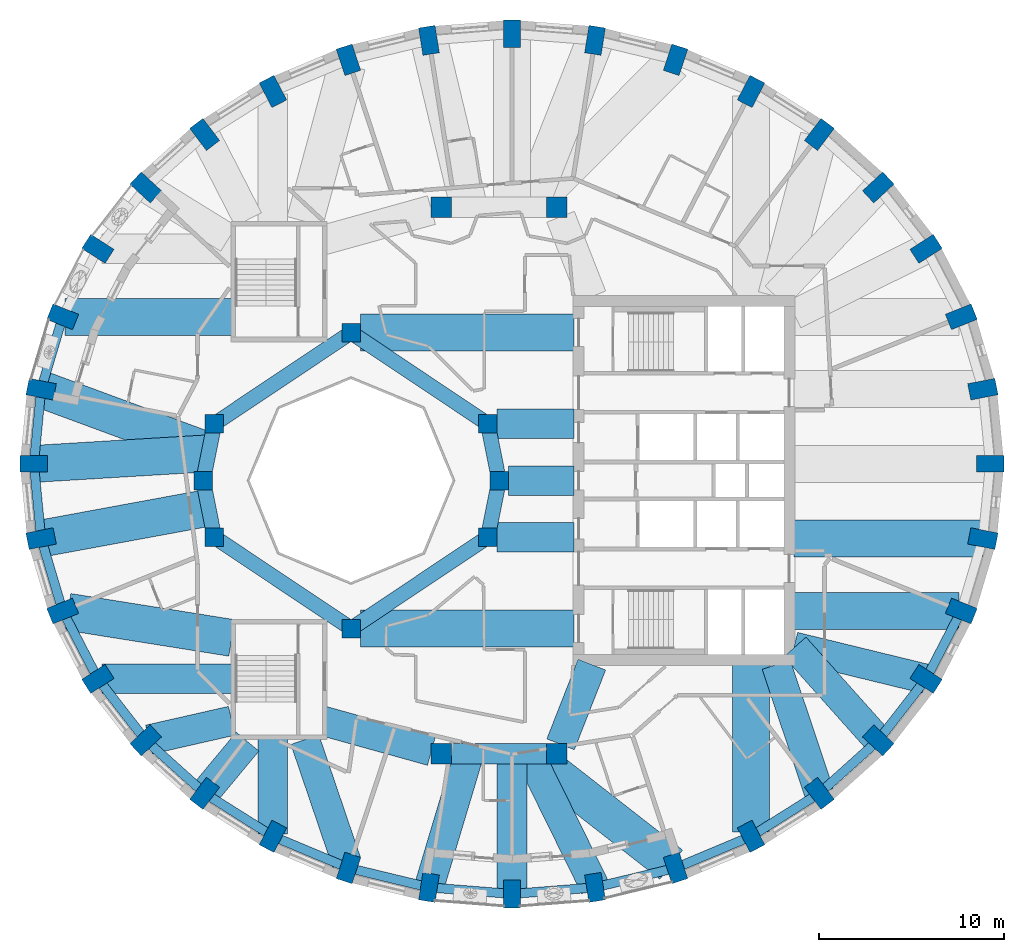
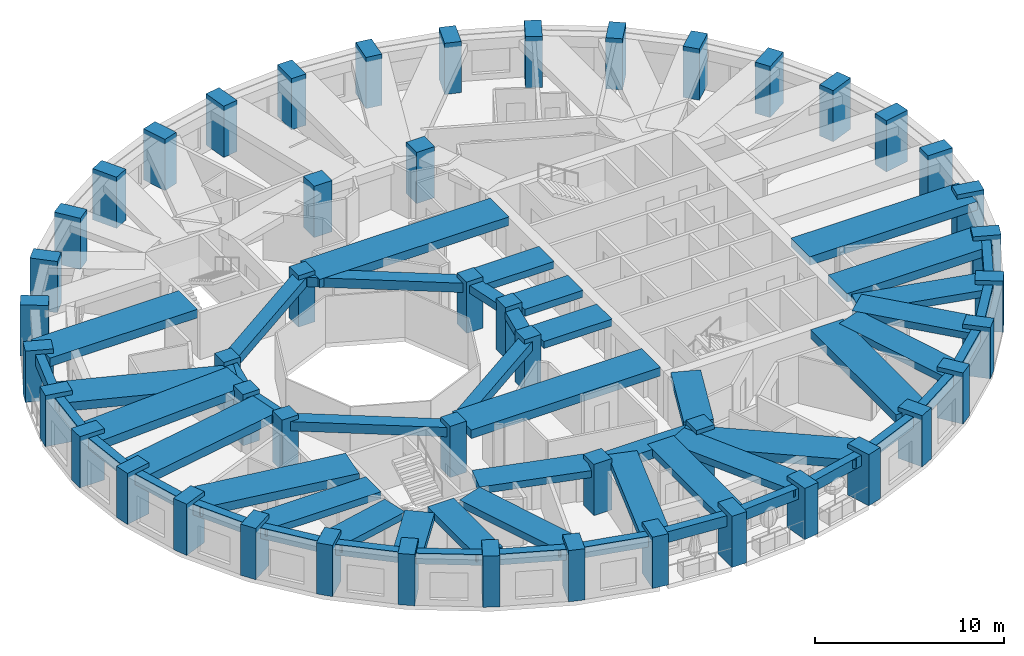
# One storey, part 1 of 12: 54 beams, 48 columns.
"""IFC4 building model written with IfcOpenShell, lengths in metres."""

from ifc_helpers import new_model, si_unit, direction, frame, origin, origin_2d, place, context, subcontext, project, spatial, rectangle, extrude, material, material_profile, profile_set, type_object, element, save


model = new_model("IFC4")

# Units and contexts
model_context = context("Model", 3, precision=1e-05, world=origin(), true_north=direction((0.0, 1.0)))
body_context = subcontext(model_context, "Body", "Model", "MODEL_VIEW")
ifc_project = project(units=[si_unit("LENGTHUNIT", "METRE"), si_unit("AREAUNIT", "SQUARE_METRE"), si_unit("VOLUMEUNIT", "CUBIC_METRE"), si_unit("PLANEANGLEUNIT", "RADIAN"), si_unit("MASSUNIT", "GRAM", prefix="KILO")], contexts=[model_context])

# Site, building, storey
site_placement = place(None, origin())
site = spatial("IfcSite", under=ifc_project, at=site_placement, CompositionType="ELEMENT")
building_placement = place(site_placement, origin())
building = spatial("IfcBuilding", under=site, at=building_placement, Name="Taillehof Tower", CompositionType="ELEMENT")
storey_placement = place(building_placement, frame((0.0, 0.0, 205.699951171875)))
storey = spatial("IfcBuildingStorey", under=building, at=storey_placement, Name="L58", CompositionType="ELEMENT", Elevation=205.699951171875)

# Columns
ifc_material_1 = material(Name="Concrete C50/60", Category="concrete")
ifc_material_profile_1 = material_profile(ifc_material_1, rectangle(XDim=1.0, YDim=1.0, at=origin_2d()), Name="RC 1000x1000")
ifc_profile_set_1 = profile_set([ifc_material_profile_1], Name="Concrete C50/60")
column_type_1 = type_object("IfcColumnType", Name="Atrium ring column C50/60 1000x1000", PredefinedType="COLUMN", material=ifc_profile_set_1)
for number, where, z_axis, x_axis, name in (
    (1, (0.0, 0.0, 0.0), (0.0, 0.0, 1.0), (1.0, 0.0, 0.0), "Column AC01"),
    (2, (-0.60888671875, 3.0615234375, 0.0), (0.0, 0.0, 1.0), (1.0, 0.0, 0.0), "Column AC02"),
    (3, (-8.0, 8.0, 0.0), (0.0, 0.0, 1.0), (1.0, 0.0, 0.0), "Column AC05"),
    (4, (-15.39111328125, 3.0615234375, 0.0), (0.0, 0.0, 1.0), (1.0, 0.0, 0.0), "Column AC08"),
    (5, (-16.0, 0.0, 0.0), (0.0, 0.0, 1.0), (1.0, 0.0, 0.0), "Column AC09"),
    (6, (-15.39111328125, -3.0615234375, 0.0), (0.0, 0.0, 1.0), (1.0, 0.0, 0.0), "Column AC10"),
    (7, (-8.0, -8.0, 0.0), (0.0, 0.0, 1.0), (1.0, 0.0, 0.0), "Column AC13"),
    (8, (-0.60888671875, -3.0615234375, 0.0), (0.0, 0.0, 1.0), (1.0, 0.0, 0.0), "Column AC16"),
):
    element("IfcColumn", number, at=place(storey_placement, frame(where, z_axis=z_axis, x_axis=x_axis)), inside=storey, type_object=column_type_1, Name=name, PredefinedType="COLUMN", context=body_context, shape_type="SweptSolid", body=[
        extrude(rectangle(XDim=1.0, YDim=1.0, at=origin_2d()), origin(), (0.0, 0.0, 1.0), 3.300048828125),
    ])
ifc_material_2 = material(Name="Concrete C50/60", Category="concrete")
ifc_material_profile_2 = material_profile(ifc_material_2, rectangle(XDim=1.10009765625, YDim=1.10009765625, at=origin_2d()), Name="RC 1100x1100")
ifc_profile_set_2 = profile_set([ifc_material_profile_2], Name="Concrete C50/60")
column_type_2 = type_object("IfcColumnType", Name="Mid-ring column C50/60 1100x1100", PredefinedType="COLUMN", material=ifc_profile_set_2)
for number, where, z_axis, x_axis, name in (
    (9, (3.125732421875, 14.772216796875, 0.0), (0.0, 0.0, 1.0), (1.0, 0.0, 0.0), "Column MC05"),
    (10, (-3.125732421875, 14.772216796875, 0.0), (0.0, 0.0, 1.0), (1.0, 0.0, 0.0), "Column MC06"),
    (11, (-3.125732421875, -14.772216796875, 0.0), (0.0, 0.0, 1.0), (1.0, 0.0, 0.0), "Column MC14"),
    (12, (3.125732421875, -14.772216796875, 0.0), (0.0, 0.0, 1.0), (1.0, 0.0, 0.0), "Column MC15"),
):
    element("IfcColumn", number, at=place(storey_placement, frame(where, z_axis=z_axis, x_axis=x_axis)), inside=storey, type_object=column_type_2, Name=name, PredefinedType="COLUMN", context=body_context, shape_type="SweptSolid", body=[
        extrude(rectangle(XDim=1.10009765625, YDim=1.10009765625, at=origin_2d()), origin(), (0.0, 0.0, 1.0), 3.300048828125),
    ])
ifc_material_3 = material(Name="Concrete C60/75", Category="concrete")
ifc_material_profile_3 = material_profile(ifc_material_3, rectangle(XDim=1.5, YDim=0.89990234375, at=origin_2d()), Name="RC 1500x900")
ifc_profile_set_3 = profile_set([ifc_material_profile_3], Name="Concrete C60/75")
column_type_3 = type_object("IfcColumnType", Name="Ring column C60/75 1500x900", PredefinedType="COLUMN", material=ifc_profile_set_3)
for number, where, z_axis, x_axis, name in (
    (13, (26.550048828125, 0.89990234375, 0.0), (0.0, 0.0, 1.0), (1.0, 0.0, 0.0), "Ring column RC01"),
    (14, (26.1572265625, 4.937255859375, 0.0), (0.0, 0.0, 1.0), (0.981433894538, 0.191800705555, 0.0), "Ring column RC02"),
    (15, (24.990966796875, 8.85205078125, 0.0), (0.0, 0.0, 1.0), (0.927385290523, 0.374107635477, 0.0), "Ring column RC03"),
    (16, (23.086669921875, 12.52490234375, 0.0), (0.0, 0.0, 1.0), (0.84231094199, 0.538991908107, 0.0), "Ring column RC04"),
    (17, (20.502197265625, 15.8447265625, 0.0), (0.0, 0.0, 1.0), (0.732270888356, 0.681013469813, 0.0), "Ring column RC05"),
    (18, (17.316162109375, 18.71044921875, 0.0), (0.0, 0.0, 1.0), (0.60360770772, 0.797281465469, 0.0), "Ring column RC06"),
    (19, (13.625, 21.03515625, 0.0), (0.0, 0.0, 1.0), (0.461993199576, 0.886883466722, 0.0), "Ring column RC07"),
    (20, (9.541259765625, 22.747802734375, 0.0), (0.0, 0.0, 1.0), (0.312001306843, 0.950081672557, 0.0), "Ring column RC08"),
    (21, (5.188720703125, 23.796875, 0.0), (0.0, 0.0, 1.0), (0.157116034607, 0.987580149491, 0.0), "Ring column RC09"),
    (22, (0.699951171875, 24.14990234375, 0.0), (0.0, 0.0, 1.0), (0.0, 1.0, 0.0), "Ring column RC10"),
    (23, (-3.788818359375, 23.796875, 0.0), (0.0, 0.0, 1.0), (-0.157116034607, 0.987580149491, 0.0), "Ring column RC11"),
    (24, (-8.14111328125, 22.747802734375, 0.0), (0.0, 0.0, 1.0), (-0.312001306843, 0.950081672557, 0.0), "Ring column RC12"),
    (25, (-12.22509765625, 21.03515625, 0.0), (0.0, 0.0, 1.0), (-0.461993199576, 0.886883466722, 0.0), "Ring column RC13"),
    (26, (-15.916015625, 18.71044921875, 0.0), (0.0, 0.0, 1.0), (-0.60360770772, 0.797281465469, 0.0), "Ring column RC14"),
    (27, (-19.102294921875, 15.8447265625, 0.0), (0.0, 0.0, 1.0), (-0.732270888356, 0.681013469813, 0.0), "Ring column RC15"),
    (28, (-21.686767578125, 12.52490234375, 0.0), (0.0, 0.0, 1.0), (-0.84231094199, 0.538991908107, 0.0), "Ring column RC16"),
    (29, (-23.591064453125, 8.85205078125, 0.0), (0.0, 0.0, 1.0), (-0.927385290523, 0.374107635477, 0.0), "Ring column RC17"),
    (30, (-24.75732421875, 4.937255859375, 0.0), (0.0, 0.0, 1.0), (-0.981433894538, 0.191800705555, 0.0), "Ring column RC18"),
    (31, (-25.14990234375, 0.89990234375, 0.0), (0.0, 0.0, 1.0), (-1.0, 0.0, 0.0), "Ring column RC19"),
    (32, (-24.75732421875, -3.13720703125, 0.0), (0.0, 0.0, 1.0), (-0.981433894538, -0.191800705555, 0.0), "Ring column RC20"),
    (33, (-23.591064453125, -7.052001953125, 0.0), (0.0, 0.0, 1.0), (-0.927385290523, -0.374107635477, 0.0), "Ring column RC21"),
    (34, (-21.686767578125, -10.72509765625, 0.0), (0.0, 0.0, 1.0), (-0.84231094199, -0.538991908107, 0.0), "Ring column RC22"),
    (35, (-19.102294921875, -14.044921875, 0.0), (0.0, 0.0, 1.0), (-0.732270888356, -0.681013469813, 0.0), "Ring column RC23"),
    (36, (-15.916015625, -16.91064453125, 0.0), (0.0, 0.0, 1.0), (-0.60360770772, -0.797281465469, 0.0), "Ring column RC24"),
    (37, (-12.22509765625, -19.235107421875, 0.0), (0.0, 0.0, 1.0), (-0.461993199576, -0.886883466722, 0.0), "Ring column RC25"),
    (38, (-8.14111328125, -20.94775390625, 0.0), (0.0, 0.0, 1.0), (-0.312001306843, -0.950081672557, 0.0), "Ring column RC26"),
    (39, (-3.788818359375, -21.996826171875, 0.0), (0.0, 0.0, 1.0), (-0.157116034607, -0.987580149491, 0.0), "Ring column RC27"),
    (40, (0.699951171875, -22.35009765625, 0.0), (0.0, 0.0, 1.0), (0.0, -1.0, 0.0), "Ring column RC28"),
    (41, (5.188720703125, -21.996826171875, 0.0), (0.0, 0.0, 1.0), (0.157116034607, -0.987580149491, 0.0), "Ring column RC29"),
    (42, (9.541259765625, -20.94775390625, 0.0), (0.0, 0.0, 1.0), (0.312001306843, -0.950081672557, 0.0), "Ring column RC30"),
    (43, (13.625, -19.235107421875, 0.0), (0.0, 0.0, 1.0), (0.461993199576, -0.886883466722, 0.0), "Ring column RC31"),
    (44, (17.316162109375, -16.91064453125, 0.0), (0.0, 0.0, 1.0), (0.60360770772, -0.797281465469, 0.0), "Ring column RC32"),
    (45, (20.502197265625, -14.044921875, 0.0), (0.0, 0.0, 1.0), (0.732270888356, -0.681013469813, 0.0), "Ring column RC33"),
    (46, (23.086669921875, -10.72509765625, 0.0), (0.0, 0.0, 1.0), (0.84231094199, -0.538991908107, 0.0), "Ring column RC34"),
    (47, (24.990966796875, -7.052001953125, 0.0), (0.0, 0.0, 1.0), (0.927385290523, -0.374107635477, 0.0), "Ring column RC35"),
    (48, (26.1572265625, -3.13720703125, 0.0), (0.0, 0.0, 1.0), (0.981433894538, -0.191800705555, 0.0), "Ring column RC36"),
):
    element("IfcColumn", number, at=place(storey_placement, frame(where, z_axis=z_axis, x_axis=x_axis)), inside=storey, type_object=column_type_3, Name=name, PredefinedType="COLUMN", context=body_context, shape_type="SweptSolid", body=[
        extrude(rectangle(XDim=1.5, YDim=0.89990234375, at=origin_2d()), origin(), (0.0, 0.0, 1.0), 3.300048828125),
    ])

# Beams
ifc_material_4 = material(Name="Concrete C50/60", Category="concrete")
ifc_material_profile_4 = material_profile(ifc_material_4, rectangle(XDim=0.800048828125, YDim=0.5, at=origin_2d()), Name="RC 800x500")
ifc_profile_set_4 = profile_set([ifc_material_profile_4], Name="Concrete C50/60")
beam_type_1 = type_object("IfcBeamType", Name="Atrium ring beam C50/60 800x500", PredefinedType="BEAM", material=ifc_profile_set_4)
for number, where, z_axis, x_axis, name in (
    (49, (0.0, 0.0, 2.77001953125), (-0.195063155143, 0.980790683839, 0.0), (-0.980790683839, -0.195063155143, 0.0), "Atrium ring beam AB01"),
    (50, (-15.39111328125, 3.0615234375, 2.77001953125), (-0.195063155143, -0.980790683839, 0.0), (0.980790683839, -0.195063155143, 0.0), "Atrium ring beam AB04"),
    (51, (-16.0, 0.0, 2.77001953125), (0.195063155143, -0.980790683839, 0.0), (0.980790683839, 0.195063155143, 0.0), "Atrium ring beam AB05"),
    (52, (-0.60888671875, -3.0615234375, 2.77001953125), (0.195063155143, 0.980790683839, 0.0), (-0.980790683839, 0.195063155143, 0.0), "Atrium ring beam AB08"),
):
    element("IfcBeam", number, at=place(storey_placement, frame(where, z_axis=z_axis, x_axis=x_axis)), inside=storey, type_object=beam_type_1, Name=name, PredefinedType="BEAM", context=body_context, shape_type="SweptSolid", body=[
        extrude(rectangle(XDim=0.800048828125, YDim=0.5, at=origin_2d()), origin(), (0.0, 0.0, 1.0), 3.12158203125),
    ])
ifc_material_5 = material(Name="Concrete C50/60", Category="concrete")
ifc_material_profile_5 = material_profile(ifc_material_5, rectangle(XDim=0.800048828125, YDim=0.60009765625, at=origin_2d()), Name="RC 800x600")
ifc_profile_set_5 = profile_set([ifc_material_profile_5], Name="Concrete C50/60")
beam_type_2 = type_object("IfcBeamType", Name="Atrium ring beam C50/60 800x600", PredefinedType="BEAM", material=ifc_profile_set_5)
for number, where, z_axis, x_axis, name in (
    (53, (-0.60888671875, 3.0615234375, 2.719970703125), (-0.831475195687, 0.555561876804, 0.0), (-0.555561876804, -0.831475195687, 0.0), "Atrium ring beam AB02"),
    (54, (-8.0, 8.0, 2.719970703125), (-0.831475195687, -0.555561876804, 0.0), (0.555561876804, -0.831475195687, 0.0), "Atrium ring beam AB03"),
    (55, (-15.39111328125, -3.0615234375, 2.719970703125), (0.831475195687, -0.555561876804, 0.0), (0.555561876804, 0.831475195687, 0.0), "Atrium ring beam AB06"),
    (56, (-8.0, -8.0, 2.719970703125), (0.831475195687, 0.555561876804, 0.0), (-0.555561876804, 0.831475195687, 0.0), "Atrium ring beam AB07"),
):
    element("IfcBeam", number, at=place(storey_placement, frame(where, z_axis=z_axis, x_axis=x_axis)), inside=storey, type_object=beam_type_2, Name=name, PredefinedType="BEAM", context=body_context, shape_type="SweptSolid", body=[
        extrude(rectangle(XDim=0.800048828125, YDim=0.60009765625, at=origin_2d()), origin(), (0.0, 0.0, 1.0), 8.88916015625),
    ])
ifc_material_6 = material(Name="Concrete C50/60", Category="concrete")
ifc_material_profile_6 = material_profile(ifc_material_6, rectangle(XDim=1.10009765625, YDim=0.60009765625, at=origin_2d()), Name="RC 1100x600")
ifc_profile_set_6 = profile_set([ifc_material_profile_6], Name="Concrete C50/60")
beam_type_3 = type_object("IfcBeamType", Name="Mid-ring beam C50/60 1100x600", PredefinedType="BEAM", material=ifc_profile_set_6)
beam_1_placement = place(storey_placement, frame((-3.125732421875, -14.772216796875, 2.719970703125), z_axis=(1.0, 0.0, 0.0), x_axis=(0.0, 1.0, 0.0)))
element("IfcBeam", 57, at=beam_1_placement, inside=storey, type_object=beam_type_3, Name="Mid-ring beam MB02", PredefinedType="BEAM", context=body_context, shape_type="SweptSolid", body=[
    extrude(rectangle(XDim=1.10009765625, YDim=0.60009765625, at=origin_2d()), origin(), (0.0, 0.0, 1.0), 6.25146484375),
])
ifc_material_7 = material(Name="Concrete C50/60", Category="concrete")
ifc_material_profile_7 = material_profile(ifc_material_7, rectangle(XDim=1.60009765625, YDim=0.449951171875, at=origin_2d()), Name="RC 1600x450")
ifc_profile_set_7 = profile_set([ifc_material_profile_7], Name="Concrete C50/60")
beam_type_4 = type_object("IfcBeamType", Name="Radial band beam C50/60 1600x450", PredefinedType="BEAM", material=ifc_profile_set_7)
beam_2_placement = place(storey_placement, frame((-21.47021484375, -10.72509765625, 2.795166015625), z_axis=(1.0, 0.0, 0.0), x_axis=(0.0, 1.0, 0.0)))
element("IfcBeam", 58, at=beam_2_placement, inside=storey, type_object=beam_type_4, Name="Radial band beam RB22", PredefinedType="BEAM", context=body_context, shape_type="SweptSolid", body=[
    extrude(rectangle(XDim=1.60009765625, YDim=0.449951171875, at=origin_2d()), origin(), (0.0, 0.0, 1.0), 7.020263671875),
])
beam_3_placement = place(storey_placement, frame((-18.929931640625, -14.005615234375, 2.795166015625), z_axis=(0.975193914537, 0.221352273651, 0.0), x_axis=(-0.221352273651, 0.975193914537, 0.0)))
element("IfcBeam", 59, at=beam_3_placement, inside=storey, type_object=beam_type_4, Name="Radial band beam RB23", PredefinedType="BEAM", context=body_context, shape_type="SweptSolid", body=[
    extrude(rectangle(XDim=1.60009765625, YDim=0.449951171875, at=origin_2d()), origin(), (0.0, 0.0, 1.0), 4.5927734375),
])
beam_4_placement = place(storey_placement, frame((-15.916015625, -16.91064453125, 2.795166015625), z_axis=(0.638722345868, 0.769437304066, 0.0), x_axis=(-0.769437304066, 0.638722345868, 0.0)))
element("IfcBeam", 60, at=beam_4_placement, inside=storey, type_object=beam_type_4, Name="Radial band beam RB24", PredefinedType="BEAM", context=body_context, shape_type="SweptSolid", body=[
    extrude(rectangle(XDim=1.60009765625, YDim=0.449951171875, at=origin_2d()), origin(), (0.0, 0.0, 1.0), 3.6328125),
])
beam_5_placement = place(storey_placement, frame((-12.22509765625, -19.101318359375, 2.795166015625), z_axis=(0.0, 1.0, 0.0), x_axis=(-1.0, 0.0, 0.0)))
element("IfcBeam", 61, at=beam_5_placement, inside=storey, type_object=beam_type_4, Name="Radial band beam RB25", PredefinedType="BEAM", context=body_context, shape_type="SweptSolid", body=[
    extrude(rectangle(XDim=1.60009765625, YDim=0.449951171875, at=origin_2d()), origin(), (0.0, 0.0, 1.0), 5.1513671875),
])
beam_6_placement = place(storey_placement, frame((-8.233642578125, -20.675537109375, 2.795166015625), z_axis=(-0.321475101084, 0.94691803203, 0.0), x_axis=(-0.94691803203, -0.321475101084, 0.0)))
element("IfcBeam", 62, at=beam_6_placement, inside=storey, type_object=beam_type_4, Name="Radial band beam RB26", PredefinedType="BEAM", context=body_context, shape_type="SweptSolid", body=[
    extrude(rectangle(XDim=1.60009765625, YDim=0.449951171875, at=origin_2d()), origin(), (0.0, 0.0, 1.0), 7.042236328125),
])
beam_7_placement = place(storey_placement, frame((-3.788818359375, -21.996826171875, 2.795166015625), z_axis=(0.286825122153, 0.957982958774, 0.0), x_axis=(-0.957982958774, 0.286825122153, 0.0)))
element("IfcBeam", 63, at=beam_7_placement, inside=storey, type_object=beam_type_4, Name="Radial band beam RB27", PredefinedType="BEAM", context=body_context, shape_type="SweptSolid", body=[
    extrude(rectangle(XDim=1.60009765625, YDim=0.449951171875, at=origin_2d()), origin(), (0.0, 0.0, 1.0), 7.54150390625),
])
beam_8_placement = place(storey_placement, frame((0.699951171875, -22.35009765625, 2.795166015625), z_axis=(0.0, 1.0, 0.0), x_axis=(-1.0, 0.0, 0.0)))
element("IfcBeam", 64, at=beam_8_placement, inside=storey, type_object=beam_type_4, Name="Radial band beam RB28", PredefinedType="BEAM", context=body_context, shape_type="SweptSolid", body=[
    extrude(rectangle(XDim=1.60009765625, YDim=0.449951171875, at=origin_2d()), origin(), (0.0, 0.0, 1.0), 7.577880859375),
])
beam_9_placement = place(storey_placement, frame((5.188720703125, -21.996826171875, 2.795166015625), z_axis=(-0.442309181818, 0.896862635903, 0.0), x_axis=(-0.896862635903, -0.442309181818, 0.0)))
element("IfcBeam", 65, at=beam_9_placement, inside=storey, type_object=beam_type_4, Name="Radial band beam RB29", PredefinedType="BEAM", context=body_context, shape_type="SweptSolid", body=[
    extrude(rectangle(XDim=1.60009765625, YDim=0.449951171875, at=origin_2d()), origin(), (0.0, 0.0, 1.0), 8.055419921875),
])
beam_10_placement = place(storey_placement, frame((17.314697265625, -16.906494140625, 2.795166015625), z_axis=(-0.317775276173, 0.948166058164, 0.0), x_axis=(-0.948166058164, -0.317775276173, 0.0)))
element("IfcBeam", 66, at=beam_10_placement, inside=storey, type_object=beam_type_4, Name="Radial band beam RB32", PredefinedType="BEAM", context=body_context, shape_type="SweptSolid", body=[
    extrude(rectangle(XDim=1.60009765625, YDim=0.449951171875, at=origin_2d()), origin(), (0.0, 0.0, 1.0), 7.333984375),
])
beam_11_placement = place(storey_placement, frame((20.502197265625, -14.044921875, 2.795166015625), z_axis=(-0.665845101725, 0.746090008316, 0.0), x_axis=(-0.746090008316, -0.665845101725, 0.0)))
element("IfcBeam", 67, at=beam_11_placement, inside=storey, type_object=beam_type_4, Name="Radial band beam RB33", PredefinedType="BEAM", context=body_context, shape_type="SweptSolid", body=[
    extrude(rectangle(XDim=1.60009765625, YDim=0.449951171875, at=origin_2d()), origin(), (0.0, 0.0, 1.0), 6.766357421875),
])
beam_12_placement = place(storey_placement, frame((23.07568359375, -10.722412109375, 2.795166015625), z_axis=(-0.971629977108, 0.236506210459, 0.0), x_axis=(-0.236506210459, -0.971629977108, 0.0)))
element("IfcBeam", 68, at=beam_12_placement, inside=storey, type_object=beam_type_4, Name="Radial band beam RB34", PredefinedType="BEAM", context=body_context, shape_type="SweptSolid", body=[
    extrude(rectangle(XDim=1.60009765625, YDim=0.449951171875, at=origin_2d()), origin(), (0.0, 0.0, 1.0), 7.332275390625),
])
beam_13_placement = place(storey_placement, frame((0.5, 0.0, 2.795166015625), z_axis=(1.0, 0.0, 0.0), x_axis=(0.0, 1.0, 0.0)))
element("IfcBeam", 69, at=beam_13_placement, inside=storey, type_object=beam_type_4, Name="Inner band beam IB101", PredefinedType="BEAM", context=body_context, shape_type="SweptSolid", body=[
    extrude(rectangle(XDim=1.60009765625, YDim=0.449951171875, at=origin_2d()), origin(), (0.0, 0.0, 1.0), 3.550048828125),
])
for number, where, z_axis, x_axis, name in (
    (70, (-0.10888671875, 3.0615234375, 2.795166015625), (1.0, 0.0, 0.0), (0.0, 1.0, 0.0), "Inner band beam IB102"),
    (71, (-0.10888671875, -3.0615234375, 2.795166015625), (1.0, 0.0, 0.0), (0.0, 1.0, 0.0), "Inner band beam IB116"),
):
    element("IfcBeam", number, at=place(storey_placement, frame(where, z_axis=z_axis, x_axis=x_axis)), inside=storey, type_object=beam_type_4, Name=name, PredefinedType="BEAM", context=body_context, shape_type="SweptSolid", body=[
        extrude(rectangle(XDim=1.60009765625, YDim=0.449951171875, at=origin_2d()), origin(), (0.0, 0.0, 1.0), 4.158935546875),
    ])
beam_14_placement = place(storey_placement, frame((-3.655517578125, -14.624755859375, 2.795166015625), z_axis=(-0.963459369536, 0.267854518821, 0.0), x_axis=(-0.267854518821, -0.963459369536, 0.0)))
element("IfcBeam", 72, at=beam_14_placement, inside=storey, type_object=beam_type_4, Name="Inner band beam IB214", PredefinedType="BEAM", context=body_context, shape_type="SweptSolid", body=[
    extrude(rectangle(XDim=1.60009765625, YDim=0.449951171875, at=origin_2d()), origin(), (0.0, 0.0, 1.0), 6.096923828125),
])
beam_15_placement = place(storey_placement, frame((3.32666015625, -14.26025390625, 2.795166015625), z_axis=(0.365588707223, 0.930776502255, 0.0), x_axis=(-0.930776502255, 0.365588707223, 0.0)))
element("IfcBeam", 73, at=beam_15_placement, inside=storey, type_object=beam_type_4, Name="Inner band beam IB215", PredefinedType="BEAM", context=body_context, shape_type="SweptSolid", body=[
    extrude(rectangle(XDim=1.60009765625, YDim=0.449951171875, at=origin_2d()), origin(), (0.0, 0.0, 1.0), 4.627197265625),
])
ifc_material_8 = material(Name="Concrete C50/60", Category="concrete")
ifc_material_profile_8 = material_profile(ifc_material_8, rectangle(XDim=2.0, YDim=0.550048828125, at=origin_2d()), Name="RC 2000x550")
ifc_profile_set_8 = profile_set([ifc_material_profile_8], Name="Concrete C50/60")
beam_type_5 = type_object("IfcBeamType", Name="Radial band beam C50/60 2000x550", PredefinedType="BEAM", material=ifc_profile_set_8)
beam_16_placement = place(storey_placement, frame((-23.4560546875, 8.85205078125, 2.7451171875), z_axis=(1.0, 0.0, 0.0), x_axis=(0.0, 1.0, 0.0)))
element("IfcBeam", 74, at=beam_16_placement, inside=storey, type_object=beam_type_5, Name="Radial band beam RB17", PredefinedType="BEAM", context=body_context, shape_type="SweptSolid", body=[
    extrude(rectangle(XDim=2.0, YDim=0.550048828125, at=origin_2d()), origin(), (0.0, 0.0, 1.0), 9.006103515625),
])
beam_17_placement = place(storey_placement, frame((-24.75732421875, 4.937255859375, 2.7451171875), z_axis=(0.938209870924, -0.346066811615, 0.0), x_axis=(0.346066811615, 0.938209870924, 0.0)))
element("IfcBeam", 75, at=beam_17_placement, inside=storey, type_object=beam_type_5, Name="Radial band beam RB18", PredefinedType="BEAM", context=body_context, shape_type="SweptSolid", body=[
    extrude(rectangle(XDim=2.0, YDim=0.550048828125, at=origin_2d()), origin(), (0.0, 0.0, 1.0), 9.67138671875),
])
beam_18_placement = place(storey_placement, frame((-25.14990234375, 0.89990234375, 2.7451171875), z_axis=(0.998174819199, 0.060390647592, 0.0), x_axis=(-0.060390647592, 0.998174819199, 0.0)))
element("IfcBeam", 76, at=beam_18_placement, inside=storey, type_object=beam_type_5, Name="Radial band beam RB19", PredefinedType="BEAM", context=body_context, shape_type="SweptSolid", body=[
    extrude(rectangle(XDim=2.0, YDim=0.550048828125, at=origin_2d()), origin(), (0.0, 0.0, 1.0), 9.4599609375),
])
beam_19_placement = place(storey_placement, frame((-24.75732421875, -3.13720703125, 2.7451171875), z_axis=(0.983474452744, 0.181046957445, 0.0), x_axis=(-0.181046957445, 0.983474452744, 0.0)))
element("IfcBeam", 77, at=beam_19_placement, inside=storey, type_object=beam_type_5, Name="Radial band beam RB20", PredefinedType="BEAM", context=body_context, shape_type="SweptSolid", body=[
    extrude(rectangle(XDim=2.0, YDim=0.550048828125, at=origin_2d()), origin(), (0.0, 0.0, 1.0), 9.2021484375),
])
beam_20_placement = place(storey_placement, frame((-23.3076171875, -7.09716796875, 2.7451171875), z_axis=(0.987552836313, -0.157287620272, 0.0), x_axis=(0.157287620272, 0.987552836313, 0.0)))
element("IfcBeam", 78, at=beam_20_placement, inside=storey, type_object=beam_type_5, Name="Radial band beam RB21", PredefinedType="BEAM", context=body_context, shape_type="SweptSolid", body=[
    extrude(rectangle(XDim=2.0, YDim=0.550048828125, at=origin_2d()), origin(), (0.0, 0.0, 1.0), 8.968505859375),
])
beam_21_placement = place(storey_placement, frame((9.3076171875, -20.765625, 2.7451171875), z_axis=(-0.788425359087, 0.615130435882, 0.0), x_axis=(-0.615130435882, -0.788425359087, 0.0)))
element("IfcBeam", 79, at=beam_21_placement, inside=storey, type_object=beam_type_5, Name="Radial band beam RB30", PredefinedType="BEAM", context=body_context, shape_type="SweptSolid", body=[
    extrude(rectangle(XDim=2.0, YDim=0.550048828125, at=origin_2d()), origin(), (0.0, 0.0, 1.0), 9.35595703125),
])
beam_22_placement = place(storey_placement, frame((13.625, -18.99755859375, 2.7451171875), z_axis=(0.0, 1.0, 0.0), x_axis=(-1.0, 0.0, 0.0)))
element("IfcBeam", 80, at=beam_22_placement, inside=storey, type_object=beam_type_5, Name="Radial band beam RB31", PredefinedType="BEAM", context=body_context, shape_type="SweptSolid", body=[
    extrude(rectangle(XDim=2.0, YDim=0.550048828125, at=origin_2d()), origin(), (0.0, 0.0, 1.0), 9.047607421875),
])
beam_23_placement = place(storey_placement, frame((24.856201171875, -7.052001953125, 2.7451171875), z_axis=(-1.0, 0.0, 0.0), x_axis=(0.0, -1.0, 0.0)))
element("IfcBeam", 81, at=beam_23_placement, inside=storey, type_object=beam_type_5, Name="Radial band beam RB35", PredefinedType="BEAM", context=body_context, shape_type="SweptSolid", body=[
    extrude(rectangle(XDim=2.0, YDim=0.550048828125, at=origin_2d()), origin(), (0.0, 0.0, 1.0), 8.90625),
])
beam_24_placement = place(storey_placement, frame((26.1572265625, -3.13720703125, 2.7451171875), z_axis=(-1.0, 0.0, 0.0), x_axis=(0.0, -1.0, 0.0)))
element("IfcBeam", 82, at=beam_24_placement, inside=storey, type_object=beam_type_5, Name="Radial band beam RB36", PredefinedType="BEAM", context=body_context, shape_type="SweptSolid", body=[
    extrude(rectangle(XDim=2.0, YDim=0.550048828125, at=origin_2d()), origin(), (0.0, 0.0, 1.0), 10.207275390625),
])
for number, where, z_axis, x_axis, name in (
    (83, (-7.5, 8.0, 2.7451171875), (1.0, 0.0, 0.0), (0.0, 1.0, 0.0), "Inner band beam IB105"),
    (84, (-7.5, -8.0, 2.7451171875), (1.0, 0.0, 0.0), (0.0, 1.0, 0.0), "Inner band beam IB113"),
):
    element("IfcBeam", number, at=place(storey_placement, frame(where, z_axis=z_axis, x_axis=x_axis)), inside=storey, type_object=beam_type_5, Name=name, PredefinedType="BEAM", context=body_context, shape_type="SweptSolid", body=[
        extrude(rectangle(XDim=2.0, YDim=0.550048828125, at=origin_2d()), origin(), (0.0, 0.0, 1.0), 11.550048828125),
    ])
ifc_material_9 = material(Name="Concrete C50/60", Category="concrete")
ifc_material_profile_9 = material_profile(ifc_material_9, rectangle(XDim=0.5, YDim=0.699951171875, at=origin_2d()), Name="RC 500x700")
ifc_profile_set_9 = profile_set([ifc_material_profile_9], Name="Concrete C50/60")
beam_type_6 = type_object("IfcBeamType", Name="Spandrel beam C50/60 500x700", PredefinedType="SPANDREL", material=ifc_profile_set_9)
beam_25_placement = place(storey_placement, frame((-23.591064453125, 8.85205078125, 2.670166015625), z_axis=(-0.285510458946, -0.9583755933, 0.0), x_axis=(0.9583755933, -0.285510458946, 0.0)))
element("IfcBeam", 85, at=beam_25_placement, inside=storey, type_object=beam_type_6, Name="Spandrel beam SB17", PredefinedType="SPANDREL", context=body_context, shape_type="SweptSolid", body=[
    extrude(rectangle(XDim=0.5, YDim=0.699951171875, at=origin_2d()), origin(), (0.0, 0.0, 1.0), 4.084716796875),
])
beam_26_placement = place(storey_placement, frame((-24.75732421875, 4.937255859375, 2.670166015625), z_axis=(-0.096780051712, -0.995305793006, 0.0), x_axis=(0.995305793006, -0.096780051712, 0.0)))
element("IfcBeam", 86, at=beam_26_placement, inside=storey, type_object=beam_type_6, Name="Spandrel beam SB18", PredefinedType="SPANDREL", context=body_context, shape_type="SweptSolid", body=[
    extrude(rectangle(XDim=0.5, YDim=0.699951171875, at=origin_2d()), origin(), (0.0, 0.0, 1.0), 4.056396484375),
])
beam_27_placement = place(storey_placement, frame((-25.14990234375, 0.89990234375, 2.670166015625), z_axis=(0.096785849576, -0.995305229225, 0.0), x_axis=(0.995305229225, 0.096785849576, 0.0)))
element("IfcBeam", 87, at=beam_27_placement, inside=storey, type_object=beam_type_6, Name="Spandrel beam SB19", PredefinedType="SPANDREL", context=body_context, shape_type="SweptSolid", body=[
    extrude(rectangle(XDim=0.5, YDim=0.699951171875, at=origin_2d()), origin(), (0.0, 0.0, 1.0), 4.05615234375),
])
beam_28_placement = place(storey_placement, frame((-24.75732421875, -3.13720703125, 2.670166015625), z_axis=(0.285510458946, -0.9583755933, 0.0), x_axis=(0.9583755933, 0.285510458946, 0.0)))
element("IfcBeam", 88, at=beam_28_placement, inside=storey, type_object=beam_type_6, Name="Spandrel beam SB20", PredefinedType="SPANDREL", context=body_context, shape_type="SweptSolid", body=[
    extrude(rectangle(XDim=0.5, YDim=0.699951171875, at=origin_2d()), origin(), (0.0, 0.0, 1.0), 4.084716796875),
])
beam_29_placement = place(storey_placement, frame((-23.591064453125, -7.052001953125, 2.670166015625), z_axis=(0.460265491458, -0.887781322947, 0.0), x_axis=(0.887781322947, 0.460265491458, 0.0)))
element("IfcBeam", 89, at=beam_29_placement, inside=storey, type_object=beam_type_6, Name="Spandrel beam SB21", PredefinedType="SPANDREL", context=body_context, shape_type="SweptSolid", body=[
    extrude(rectangle(XDim=0.5, YDim=0.699951171875, at=origin_2d()), origin(), (0.0, 0.0, 1.0), 4.137451171875),
])
beam_30_placement = place(storey_placement, frame((-21.686767578125, -10.72509765625, 2.670166015625), z_axis=(0.614294081938, -0.789077170432, 0.0), x_axis=(0.789077170432, 0.614294081938, 0.0)))
element("IfcBeam", 90, at=beam_30_placement, inside=storey, type_object=beam_type_6, Name="Spandrel beam SB22", PredefinedType="SPANDREL", context=body_context, shape_type="SweptSolid", body=[
    extrude(rectangle(XDim=0.5, YDim=0.699951171875, at=origin_2d()), origin(), (0.0, 0.0, 1.0), 4.207275390625),
])
beam_31_placement = place(storey_placement, frame((-19.102294921875, -14.044921875, 2.670166015625), z_axis=(0.743517893617, -0.668716039789, 0.0), x_axis=(0.668716039789, 0.743517893617, 0.0)))
element("IfcBeam", 91, at=beam_31_placement, inside=storey, type_object=beam_type_6, Name="Spandrel beam SB23", PredefinedType="SPANDREL", context=body_context, shape_type="SweptSolid", body=[
    extrude(rectangle(XDim=0.5, YDim=0.699951171875, at=origin_2d()), origin(), (0.0, 0.0, 1.0), 4.285400390625),
])
beam_32_placement = place(storey_placement, frame((-15.916015625, -16.91064453125, 2.670166015625), z_axis=(0.846175819179, -0.532903821564, 0.0), x_axis=(0.532903821564, 0.846175819179, 0.0)))
element("IfcBeam", 92, at=beam_32_placement, inside=storey, type_object=beam_type_6, Name="Spandrel beam SB24", PredefinedType="SPANDREL", context=body_context, shape_type="SweptSolid", body=[
    extrude(rectangle(XDim=0.5, YDim=0.699951171875, at=origin_2d()), origin(), (0.0, 0.0, 1.0), 4.36181640625),
])
beam_33_placement = place(storey_placement, frame((-12.22509765625, -19.235107421875, 2.670166015625), z_axis=(0.922193747603, -0.386728188632, 0.0), x_axis=(0.386728188632, 0.922193747603, 0.0)))
element("IfcBeam", 93, at=beam_33_placement, inside=storey, type_object=beam_type_6, Name="Spandrel beam SB25", PredefinedType="SPANDREL", context=body_context, shape_type="SweptSolid", body=[
    extrude(rectangle(XDim=0.5, YDim=0.699951171875, at=origin_2d()), origin(), (0.0, 0.0, 1.0), 4.428466796875),
])
beam_34_placement = place(storey_placement, frame((-8.14111328125, -20.94775390625, 2.670166015625), z_axis=(0.972157646478, -0.234327784087, 0.0), x_axis=(0.234327784087, 0.972157646478, 0.0)))
element("IfcBeam", 94, at=beam_34_placement, inside=storey, type_object=beam_type_6, Name="Spandrel beam SB26", PredefinedType="SPANDREL", context=body_context, shape_type="SweptSolid", body=[
    extrude(rectangle(XDim=0.5, YDim=0.699951171875, at=origin_2d()), origin(), (0.0, 0.0, 1.0), 4.47705078125),
])
for number, where, z_axis, x_axis, name in (
    (95, (-3.788818359375, -21.996826171875, 2.670166015625), (0.996917374369, -0.078458579393, 0.0), (0.078458579393, 0.996917374369, 0.0), "Spandrel beam SB27"),
    (96, (0.699951171875, -22.35009765625, 2.670166015625), (0.996917374369, 0.078458579393, 0.0), (-0.078458579393, 0.996917374369, 0.0), "Spandrel beam SB28"),
):
    element("IfcBeam", number, at=place(storey_placement, frame(where, z_axis=z_axis, x_axis=x_axis)), inside=storey, type_object=beam_type_6, Name=name, PredefinedType="SPANDREL", context=body_context, shape_type="SweptSolid", body=[
        extrude(rectangle(XDim=0.5, YDim=0.699951171875, at=origin_2d()), origin(), (0.0, 0.0, 1.0), 4.502685546875),
    ])
beam_35_placement = place(storey_placement, frame((5.188720703125, -21.996826171875, 2.670166015625), z_axis=(0.972160640613, 0.234315361943, 0.0), x_axis=(-0.234315361943, 0.972160640613, 0.0)))
element("IfcBeam", 97, at=beam_35_placement, inside=storey, type_object=beam_type_6, Name="Spandrel beam SB29", PredefinedType="SPANDREL", context=body_context, shape_type="SweptSolid", body=[
    extrude(rectangle(XDim=0.5, YDim=0.699951171875, at=origin_2d()), origin(), (0.0, 0.0, 1.0), 4.477294921875),
])
beam_36_placement = place(storey_placement, frame((9.541259765625, -20.94775390625, 2.670166015625), z_axis=(0.92218550199, 0.386747850569, 0.0), x_axis=(-0.386747850569, 0.92218550199, 0.0)))
element("IfcBeam", 98, at=beam_36_placement, inside=storey, type_object=beam_type_6, Name="Spandrel beam SB30", PredefinedType="SPANDREL", context=body_context, shape_type="SweptSolid", body=[
    extrude(rectangle(XDim=0.5, YDim=0.699951171875, at=origin_2d()), origin(), (0.0, 0.0, 1.0), 4.42822265625),
])
beam_37_placement = place(storey_placement, frame((13.625, -19.235107421875, 2.670166015625), z_axis=(0.846191713174, 0.532878583314, 0.0), x_axis=(-0.532878583314, 0.846191713174, 0.0)))
element("IfcBeam", 99, at=beam_37_placement, inside=storey, type_object=beam_type_6, Name="Spandrel beam SB31", PredefinedType="SPANDREL", context=body_context, shape_type="SweptSolid", body=[
    extrude(rectangle(XDim=0.5, YDim=0.699951171875, at=origin_2d()), origin(), (0.0, 0.0, 1.0), 4.362060546875),
])
beam_38_placement = place(storey_placement, frame((17.316162109375, -16.91064453125, 2.670166015625), z_axis=(0.743492416006, 0.668744366213, 0.0), x_axis=(-0.668744366213, 0.743492416006, 0.0)))
element("IfcBeam", 100, at=beam_38_placement, inside=storey, type_object=beam_type_6, Name="Spandrel beam SB32", PredefinedType="SPANDREL", context=body_context, shape_type="SweptSolid", body=[
    extrude(rectangle(XDim=0.5, YDim=0.699951171875, at=origin_2d()), origin(), (0.0, 0.0, 1.0), 4.28515625),
])
beam_39_placement = place(storey_placement, frame((20.502197265625, -14.044921875, 2.670166015625), z_axis=(0.614294081938, 0.789077170432, 0.0), x_axis=(-0.789077170432, 0.614294081938, 0.0)))
element("IfcBeam", 101, at=beam_39_placement, inside=storey, type_object=beam_type_6, Name="Spandrel beam SB33", PredefinedType="SPANDREL", context=body_context, shape_type="SweptSolid", body=[
    extrude(rectangle(XDim=0.5, YDim=0.699951171875, at=origin_2d()), origin(), (0.0, 0.0, 1.0), 4.207275390625),
])
beam_40_placement = place(storey_placement, frame((23.086669921875, -10.72509765625, 2.670166015625), z_axis=(0.460265491458, 0.887781322947, 0.0), x_axis=(-0.887781322947, 0.460265491458, 0.0)))
element("IfcBeam", 102, at=beam_40_placement, inside=storey, type_object=beam_type_6, Name="Spandrel beam SB34", PredefinedType="SPANDREL", context=body_context, shape_type="SweptSolid", body=[
    extrude(rectangle(XDim=0.5, YDim=0.699951171875, at=origin_2d()), origin(), (0.0, 0.0, 1.0), 4.137451171875),
])

save(model, "model.ifc")
